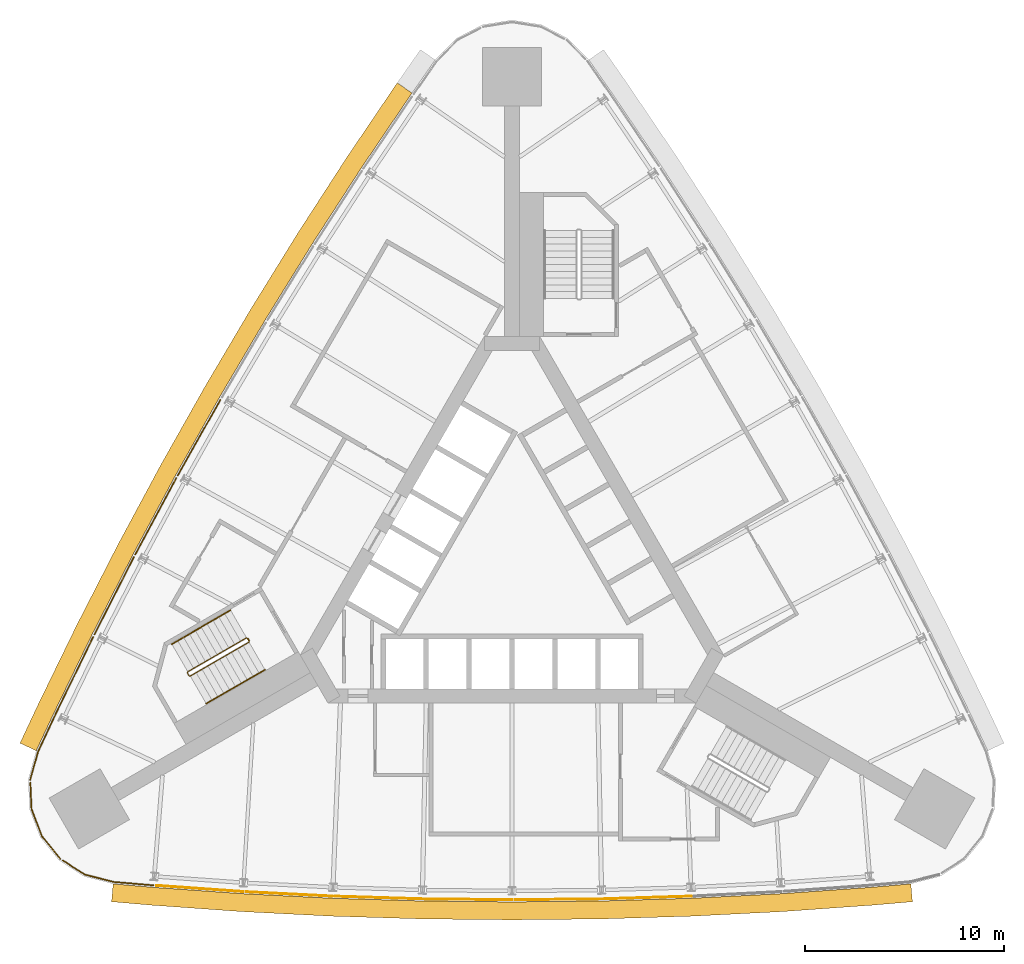
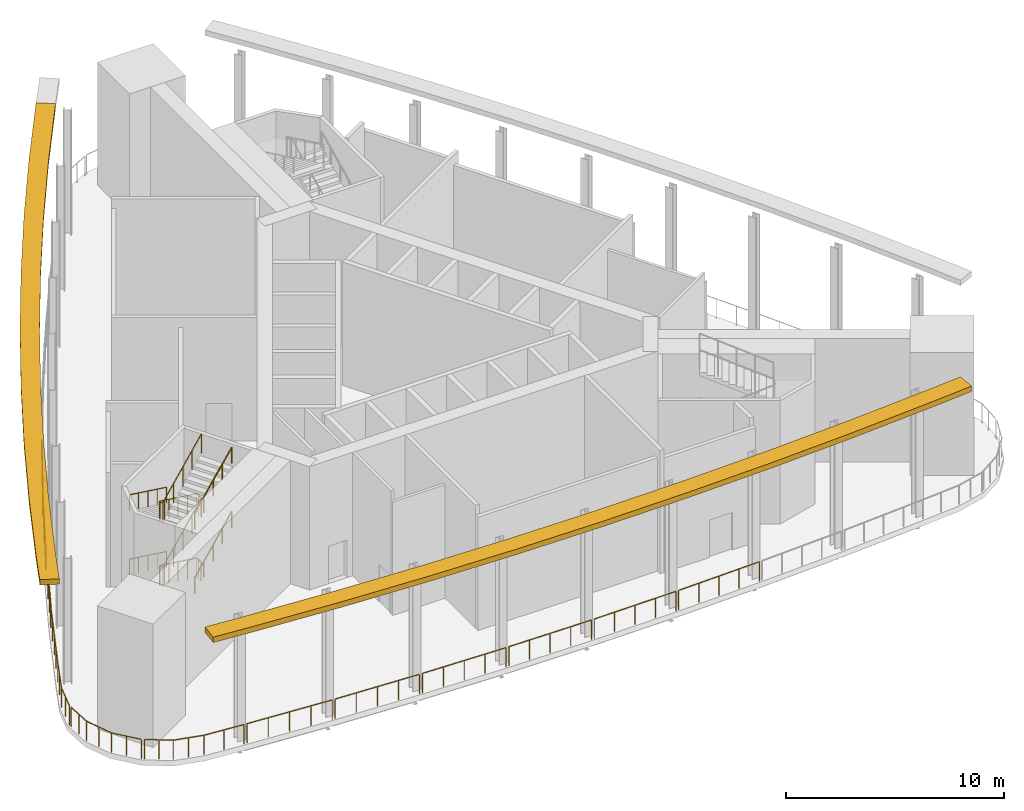
# One storey, part 5 of 7: 17 railings, 2 shading devices.
"""IFC4 building model written with IfcOpenShell, lengths in metres."""

from ifc_helpers import new_model, si_unit, direction, frame, origin, origin_2d, place, context, subcontext, project, spatial, polyline, circle, outline, extrude, material, type_object, element, save


model = new_model("IFC4")

# Units and contexts
model_context = context("Model", 3, precision=1e-05, world=origin(), true_north=direction((0.0, 1.0)))
body_context = subcontext(model_context, "Body", "Model", "MODEL_VIEW")
ifc_project = project(units=[si_unit("LENGTHUNIT", "METRE"), si_unit("AREAUNIT", "SQUARE_METRE"), si_unit("VOLUMEUNIT", "CUBIC_METRE"), si_unit("PLANEANGLEUNIT", "RADIAN"), si_unit("MASSUNIT", "GRAM", prefix="KILO")], contexts=[model_context])

# Site, building, storey
site_placement = place(None, origin())
site = spatial("IfcSite", under=ifc_project, at=site_placement, CompositionType="ELEMENT")
building_placement = place(site_placement, origin())
building = spatial("IfcBuilding", under=site, at=building_placement, Name="Noor Cloister Tower", CompositionType="ELEMENT")
storey_placement = place(building_placement, frame((0.0, 0.0, 127.5)))
storey = spatial("IfcBuildingStorey", under=building, at=storey_placement, Name="L33", CompositionType="ELEMENT", Elevation=127.5)

# Shading devices
ifc_material_1 = material(Name="Limestone", Category="masonry")
shading_device_type = type_object("IfcShadingDeviceType", Name="SUNSHADE limestone band 900", PredefinedType="USERDEFINED", material=ifc_material_1)
shading_device_1_placement = place(storey_placement, frame((0.0, 0.0, 6.89990234375)))
element("IfcShadingDevice", 1, at=shading_device_1_placement, inside=storey, type_object=shading_device_type, Name="SUNSHADE L33 1", ObjectType="SUNSHADE", PredefinedType="USERDEFINED", context=body_context, shape_type="SweptSolid", body=[
    extrude(outline(polyline([(-5.758056640625, 24.159912109375), (-8.2841796875, 20.4248046875), (-10.73876953125, 16.631591796875), (-13.115966796875, 12.789306640625), (-15.41455078125, 8.899658203125), (-17.6337890625, 4.964111328125), (-19.772705078125, 0.984130859375), (-21.83056640625, -3.0380859375), (-23.80517578125, -7.099365234375), (-24.666748046875, -8.93994140625), (-23.851806640625, -9.321533203125), (-22.992919921875, -7.48681640625), (-21.025146484375, -3.43994140625), (-18.9755859375, 0.566162109375), (-16.845458984375, 4.52978515625), (-14.635009765625, 8.449462890625), (-12.345703125, 12.323486328125), (-9.978271484375, 16.150390625), (-7.533447265625, 19.92822265625), (-5.0126953125, 23.65576171875), (-5.758056640625, 24.159912109375)])), origin(), (0.0, 0.0, 1.0), 0.300048828125),
])
shading_device_2_placement = place(storey_placement, frame((0.0, 0.0, 6.89990234375)))
element("IfcShadingDevice", 2, at=shading_device_2_placement, inside=storey, type_object=shading_device_type, Name="SUNSHADE L33 2", ObjectType="SUNSHADE", PredefinedType="USERDEFINED", context=body_context, shape_type="SweptSolid", body=[
    extrude(outline(polyline([(-20.07568359375, -16.89208984375), (-18.05078125, -17.066162109375), (-13.54638671875, -17.38671875), (-9.033935546875, -17.61572265625), (-4.51806640625, -17.75341796875), (0.0, -17.79931640625), (4.51806640625, -17.75341796875), (9.033935546875, -17.61572265625), (13.54638671875, -17.38671875), (18.05078125, -17.066162109375), (20.07568359375, -16.89208984375), (19.99853515625, -15.995361328125), (17.980224609375, -16.1689453125), (13.49169921875, -16.48828125), (8.99755859375, -16.716552734375), (4.499755859375, -16.853515625), (0.0, -16.899169921875), (-4.499755859375, -16.853515625), (-8.99755859375, -16.716552734375), (-13.49169921875, -16.48828125), (-17.980224609375, -16.1689453125), (-19.99853515625, -15.995361328125), (-20.07568359375, -16.89208984375)])), origin(), (0.0, 0.0, 1.0), 0.300048828125),
])

# Railings
ifc_material_2 = material(Name="Stainless steel", Category="steel")
railing_type_1 = type_object("IfcRailingType", Name="Stair guard 1100", PredefinedType="GUARDRAIL", material=ifc_material_2)
railing_1_placement = place(storey_placement, frame((-13.241455078125, -3.677734375, 0.0)))
element("IfcRailing", 3, at=railing_1_placement, inside=storey, type_object=railing_type_1, Name="Stair guard ST2 L33", PredefinedType="GUARDRAIL", context=body_context, shape_type="SweptSolid", body=[
    extrude(circle(Radius=0.02392578125, at=origin_2d()), frame((0.0, 0.0, 1.076171875), z_axis=(0.499112439033, -0.866537231285, 0.0), x_axis=(0.866537231285, 0.499112439033, 0.0)), (0.0, 0.0, 1.0), 0.150146484375),
    extrude(circle(Radius=0.02392578125, at=origin_2d()), frame((0.074951171875, -0.130126953125, 1.076171875), z_axis=(-0.544565797804, 0.563119998752, 0.621565731736), x_axis=(-0.718850276695, -0.695164929852, 0.0)), (0.0, 0.0, 1.0), 0.26318359375),
    extrude(circle(Radius=0.02392578125, at=origin_2d()), frame((-0.068359375, 0.01806640625, 1.23974609375), z_axis=(-0.780355043238, -0.450510916679, 0.433688736823), x_axis=(0.499977295307, -0.866038511948, 0.0)), (0.0, 0.0, 1.0), 3.7734375),
    extrude(circle(Radius=0.02392578125, at=origin_2d()), frame((-3.012939453125, -1.681884765625, 2.8759765625), z_axis=(-0.259601060869, -0.965715946433, 0.0), x_axis=(0.965715946433, -0.259601060869, 0.0)), (0.0, 0.0, 1.0), 0.070556640625),
    extrude(circle(Radius=0.02392578125, at=origin_2d()), frame((-3.03125, -1.75, 2.8759765625), z_axis=(0.500331725305, -0.865833797362, 0.0), x_axis=(0.865833797362, 0.500331725305, 0.0)), (0.0, 0.0, 1.0), 0.150390625),
    extrude(circle(Radius=0.02392578125, at=origin_2d()), frame((-2.9560546875, -1.880126953125, 2.8759765625), z_axis=(0.382383415203, -0.102791240646, 0.918268416436), x_axis=(0.259601060869, 0.965715946433, 0.0)), (0.0, 0.0, 1.0), 0.17822265625),
    extrude(circle(Radius=0.02392578125, at=origin_2d()), frame((-2.887939453125, -1.8984375, 3.03955078125), z_axis=(0.780332296523, 0.450562483458, 0.433676095149), x_axis=(-0.500031147688, 0.866007419912, 0.0)), (0.0, 0.0, 1.0), 3.7734375),
    extrude(circle(Radius=0.02392578125, at=origin_2d()), frame((0.056640625, -0.1982421875, 4.67626953125), z_axis=(-0.274721127897, 0.961523947641, 0.0), x_axis=(-0.961523947641, -0.274721127897, 0.0)), (0.0, 0.0, 1.0), 0.2060546875),
    extrude(circle(Radius=0.02392578125, at=origin_2d()), frame((0.0, 0.0, 4.67626953125), z_axis=(0.499112439033, -0.866537231285, 0.0), x_axis=(0.866537231285, 0.499112439033, 0.0)), (0.0, 0.0, 1.0), 0.150146484375),
    extrude(circle(Radius=0.02392578125, at=origin_2d()), frame((0.074951171875, -0.130126953125, 4.67626953125), z_axis=(-0.544565797804, 0.563119998752, 0.621565731736), x_axis=(-0.718850276695, -0.695164929852, 0.0)), (0.0, 0.0, 1.0), 0.26318359375),
    extrude(circle(Radius=0.02392578125, at=origin_2d()), frame((-0.068359375, 0.01806640625, 4.83984375), z_axis=(-0.780376939258, -0.450523557587, 0.433636203209), x_axis=(0.499977295307, -0.866038511948, 0.0)), (0.0, 0.0, 1.0), 3.773193359375),
    extrude(circle(Radius=0.02392578125, at=origin_2d()), frame((-3.012939453125, -1.681884765625, 6.47607421875), z_axis=(-0.259601060869, -0.965715946433, 0.0), x_axis=(0.965715946433, -0.259601060869, 0.0)), (0.0, 0.0, 1.0), 0.070556640625),
    extrude(circle(Radius=0.02392578125, at=origin_2d()), frame((-3.03125, -1.75, 6.47607421875), z_axis=(0.500331725305, -0.865833797362, 0.0), x_axis=(0.865833797362, 0.500331725305, 0.0)), (0.0, 0.0, 1.0), 0.150390625),
    extrude(circle(Radius=0.02392578125, at=origin_2d()), frame((-2.9560546875, -1.880126953125, 6.47607421875), z_axis=(0.381902721988, -0.10266202204, 0.918482890515), x_axis=(0.259601060869, 0.965715946433, 0.0)), (0.0, 0.0, 1.0), 0.178466796875),
    extrude(circle(Radius=0.02392578125, at=origin_2d()), frame((-2.887939453125, -1.8984375, 6.6396484375), z_axis=(0.780354190629, 0.450575125076, 0.433623562357), x_axis=(-0.500031147688, 0.866007419912, 0.0)), (0.0, 0.0, 1.0), 3.7734375),
    extrude(circle(Radius=0.02099609375, at=origin_2d()), origin(), (0.0, 0.0, 1.0), 1.052001953125),
    extrude(circle(Radius=0.02099609375, at=origin_2d()), frame((0.074951171875, -0.130126953125, 0.0)), (0.0, 0.0, 1.0), 1.052001953125),
    extrude(circle(Radius=0.02099609375, at=origin_2d()), frame((-0.068359375, 0.01806640625, 0.16357421875)), (0.0, 0.0, 1.0), 1.052001953125),
    extrude(circle(Radius=0.02099609375, at=origin_2d()), frame((-0.804443359375, -0.406982421875, 0.57275390625)), (0.0, 0.0, 1.0), 1.052001953125),
    extrude(circle(Radius=0.02099609375, at=origin_2d()), frame((-1.54052734375, -0.83203125, 0.98193359375)), (0.0, 0.0, 1.0), 1.052001953125),
    extrude(circle(Radius=0.02099609375, at=origin_2d()), frame((-2.27685546875, -1.2568359375, 1.390869140625)), (0.0, 0.0, 1.0), 1.052001953125),
    extrude(circle(Radius=0.02099609375, at=origin_2d()), frame((-3.012939453125, -1.681884765625, 1.800048828125)), (0.0, 0.0, 1.0), 1.052001953125),
    extrude(circle(Radius=0.02099609375, at=origin_2d()), frame((-3.03125, -1.75, 1.800048828125)), (0.0, 0.0, 1.0), 1.052001953125),
    extrude(circle(Radius=0.02099609375, at=origin_2d()), frame((-2.9560546875, -1.880126953125, 1.800048828125)), (0.0, 0.0, 1.0), 1.052001953125),
    extrude(circle(Radius=0.02099609375, at=origin_2d()), frame((-2.887939453125, -1.8984375, 1.963623046875)), (0.0, 0.0, 1.0), 1.052001953125),
    extrude(circle(Radius=0.02099609375, at=origin_2d()), frame((-2.15185546875, -1.473388671875, 2.372802734375)), (0.0, 0.0, 1.0), 1.052001953125),
    extrude(circle(Radius=0.02099609375, at=origin_2d()), frame((-1.41552734375, -1.04833984375, 2.78173828125)), (0.0, 0.0, 1.0), 1.052001953125),
    extrude(circle(Radius=0.02099609375, at=origin_2d()), frame((-0.679443359375, -0.623291015625, 3.19091796875)), (0.0, 0.0, 1.0), 1.052001953125),
    extrude(circle(Radius=0.02099609375, at=origin_2d()), frame((0.056640625, -0.1982421875, 3.60009765625)), (0.0, 0.0, 1.0), 1.052001953125),
    extrude(circle(Radius=0.02099609375, at=origin_2d()), frame((0.0, 0.0, 3.60009765625)), (0.0, 0.0, 1.0), 1.052001953125),
    extrude(circle(Radius=0.02099609375, at=origin_2d()), frame((0.074951171875, -0.130126953125, 3.60009765625)), (0.0, 0.0, 1.0), 1.052001953125),
    extrude(circle(Radius=0.02099609375, at=origin_2d()), frame((-0.068359375, 0.01806640625, 3.763671875)), (0.0, 0.0, 1.0), 1.052001953125),
    extrude(circle(Radius=0.02099609375, at=origin_2d()), frame((-0.804443359375, -0.406982421875, 4.1728515625)), (0.0, 0.0, 1.0), 1.052001953125),
    extrude(circle(Radius=0.02099609375, at=origin_2d()), frame((-1.54052734375, -0.83203125, 4.581787109375)), (0.0, 0.0, 1.0), 1.052001953125),
    extrude(circle(Radius=0.02099609375, at=origin_2d()), frame((-2.27685546875, -1.2568359375, 4.99072265625)), (0.0, 0.0, 1.0), 1.052001953125),
    extrude(circle(Radius=0.02099609375, at=origin_2d()), frame((-3.012939453125, -1.681884765625, 5.39990234375)), (0.0, 0.0, 1.0), 1.052001953125),
    extrude(circle(Radius=0.02099609375, at=origin_2d()), frame((-3.03125, -1.75, 5.39990234375)), (0.0, 0.0, 1.0), 1.052001953125),
    extrude(circle(Radius=0.02099609375, at=origin_2d()), frame((-2.9560546875, -1.880126953125, 5.39990234375)), (0.0, 0.0, 1.0), 1.052001953125),
    extrude(circle(Radius=0.02099609375, at=origin_2d()), frame((-2.887939453125, -1.8984375, 5.563720703125)), (0.0, 0.0, 1.0), 1.052001953125),
    extrude(circle(Radius=0.02099609375, at=origin_2d()), frame((-2.15185546875, -1.473388671875, 5.97265625)), (0.0, 0.0, 1.0), 1.052001953125),
    extrude(circle(Radius=0.02099609375, at=origin_2d()), frame((-1.41552734375, -1.04833984375, 6.3818359375)), (0.0, 0.0, 1.0), 1.052001953125),
    extrude(circle(Radius=0.02099609375, at=origin_2d()), frame((-0.679443359375, -0.623291015625, 6.791015625)), (0.0, 0.0, 1.0), 1.052001953125),
    extrude(circle(Radius=0.02099609375, at=origin_2d()), frame((0.056640625, -0.1982421875, 7.199951171875)), (0.0, 0.0, 1.0), 1.052001953125),
])
ifc_material_3 = material(Name="Stainless steel", Category="steel")
railing_type_2 = type_object("IfcRailingType", Name="Stair handrail 900", PredefinedType="HANDRAIL", material=ifc_material_3)
railing_2_placement = place(storey_placement, frame((-14.10986328125, -2.27392578125, 0.16357421875)))
element("IfcRailing", 4, at=railing_2_placement, inside=storey, type_object=railing_type_2, Name="Stair handrail ST2 L33 1", PredefinedType="HANDRAIL", context=body_context, shape_type="SweptSolid", body=[
    extrude(circle(Radius=0.02392578125, at=origin_2d()), frame((0.0, 0.0, 0.8759765625), z_axis=(-0.780329740374, -0.450533663534, 0.433710634306), x_axis=(0.500008388397, -0.866020560687, 0.0)), (0.0, 0.0, 1.0), 3.773193359375),
    extrude(circle(Radius=0.02099609375, at=origin_2d()), origin(), (0.0, 0.0, 1.0), 0.851806640625),
    extrude(circle(Radius=0.02099609375, at=origin_2d()), frame((-0.736083984375, -0.425048828125, 0.4091796875)), (0.0, 0.0, 1.0), 0.851806640625),
    extrude(circle(Radius=0.02099609375, at=origin_2d()), frame((-1.47216796875, -0.85009765625, 0.818359375)), (0.0, 0.0, 1.0), 0.851806640625),
    extrude(circle(Radius=0.02099609375, at=origin_2d()), frame((-2.208251953125, -1.27490234375, 1.227294921875)), (0.0, 0.0, 1.0), 0.851806640625),
    extrude(circle(Radius=0.02099609375, at=origin_2d()), frame((-2.9443359375, -1.699951171875, 1.636474609375)), (0.0, 0.0, 1.0), 0.851806640625),
])
railing_3_placement = place(storey_placement, frame((-15.329345703125, -6.961669921875, 1.963623046875)))
element("IfcRailing", 5, at=railing_3_placement, inside=storey, type_object=railing_type_2, Name="Stair handrail ST2 L33 2", PredefinedType="HANDRAIL", context=body_context, shape_type="SweptSolid", body=[
    extrude(circle(Radius=0.02392578125, at=origin_2d()), frame((0.0, 0.0, 0.8759765625), z_axis=(0.780355043238, 0.450510916679, 0.433688736823), x_axis=(-0.499977295307, 0.866038511948, 0.0)), (0.0, 0.0, 1.0), 3.7734375),
    extrude(circle(Radius=0.02099609375, at=origin_2d()), origin(), (0.0, 0.0, 1.0), 0.851806640625),
    extrude(circle(Radius=0.02099609375, at=origin_2d()), frame((0.736083984375, 0.425048828125, 0.4091796875)), (0.0, 0.0, 1.0), 0.851806640625),
    extrude(circle(Radius=0.02099609375, at=origin_2d()), frame((1.47216796875, 0.85009765625, 0.818359375)), (0.0, 0.0, 1.0), 0.851806640625),
    extrude(circle(Radius=0.02099609375, at=origin_2d()), frame((2.20849609375, 1.27490234375, 1.227294921875)), (0.0, 0.0, 1.0), 0.851806640625),
    extrude(circle(Radius=0.02099609375, at=origin_2d()), frame((2.944580078125, 1.699951171875, 1.636474609375)), (0.0, 0.0, 1.0), 0.851806640625),
])
railing_4_placement = place(storey_placement, frame((-14.10986328125, -2.27392578125, 3.763671875)))
element("IfcRailing", 6, at=railing_4_placement, inside=storey, type_object=railing_type_2, Name="Stair handrail ST2 L33 3", PredefinedType="HANDRAIL", context=body_context, shape_type="SweptSolid", body=[
    extrude(circle(Radius=0.02392578125, at=origin_2d()), frame((0.0, 0.0, 0.8759765625), z_axis=(-0.780351637896, -0.450546306357, 0.433658099268), x_axis=(0.500008388397, -0.866020560687, 0.0)), (0.0, 0.0, 1.0), 3.773193359375),
    extrude(circle(Radius=0.02099609375, at=origin_2d()), origin(), (0.0, 0.0, 1.0), 0.851806640625),
    extrude(circle(Radius=0.02099609375, at=origin_2d()), frame((-0.736083984375, -0.425048828125, 0.4091796875)), (0.0, 0.0, 1.0), 0.851806640625),
    extrude(circle(Radius=0.02099609375, at=origin_2d()), frame((-1.47216796875, -0.85009765625, 0.818115234375)), (0.0, 0.0, 1.0), 0.851806640625),
    extrude(circle(Radius=0.02099609375, at=origin_2d()), frame((-2.208251953125, -1.27490234375, 1.22705078125)), (0.0, 0.0, 1.0), 0.851806640625),
    extrude(circle(Radius=0.02099609375, at=origin_2d()), frame((-2.9443359375, -1.699951171875, 1.63623046875)), (0.0, 0.0, 1.0), 0.851806640625),
])
railing_5_placement = place(storey_placement, frame((-15.329345703125, -6.961669921875, 5.563720703125)))
element("IfcRailing", 7, at=railing_5_placement, inside=storey, type_object=railing_type_2, Name="Stair handrail ST2 L33 4", PredefinedType="HANDRAIL", context=body_context, shape_type="SweptSolid", body=[
    extrude(circle(Radius=0.02392578125, at=origin_2d()), frame((0.0, 0.0, 0.8759765625), z_axis=(0.780376939258, 0.450523557587, 0.433636203209), x_axis=(-0.499977295307, 0.866038511948, 0.0)), (0.0, 0.0, 1.0), 3.773193359375),
    extrude(circle(Radius=0.02099609375, at=origin_2d()), origin(), (0.0, 0.0, 1.0), 0.851806640625),
    extrude(circle(Radius=0.02099609375, at=origin_2d()), frame((0.736083984375, 0.425048828125, 0.4091796875)), (0.0, 0.0, 1.0), 0.851806640625),
    extrude(circle(Radius=0.02099609375, at=origin_2d()), frame((1.47216796875, 0.85009765625, 0.818115234375)), (0.0, 0.0, 1.0), 0.851806640625),
    extrude(circle(Radius=0.02099609375, at=origin_2d()), frame((2.20849609375, 1.27490234375, 1.22705078125)), (0.0, 0.0, 1.0), 0.851806640625),
    extrude(circle(Radius=0.02099609375, at=origin_2d()), frame((2.944580078125, 1.699951171875, 1.63623046875)), (0.0, 0.0, 1.0), 0.851806640625),
])
ifc_material_4 = material(Name="Stainless steel grade 316", Category="steel")
railing_type_3 = type_object("IfcRailingType", Name="Wind floor guard 1100", PredefinedType="GUARDRAIL", material=ifc_material_4)
railing_6_placement = place(storey_placement, frame((8.993408203125, -16.61669921875, 0.0)))
element("IfcRailing", 8, at=railing_6_placement, inside=storey, type_object=railing_type_3, Name="Wind floor guard L33 13", PredefinedType="GUARDRAIL", context=body_context, shape_type="SweptSolid", body=[
    extrude(circle(Radius=0.02392578125, at=origin_2d()), frame((0.0, 0.0, 1.076171875), z_axis=(-0.999536737973, -0.030435332134, 0.0), x_axis=(0.030435332134, -0.999536737973, 0.0)), (0.0, 0.0, 1.0), 4.34765625),
    extrude(circle(Radius=0.02099609375, at=origin_2d()), origin(), (0.0, 0.0, 1.0), 1.052001953125),
    extrude(circle(Radius=0.02099609375, at=origin_2d()), frame((-1.08642578125, -0.033203125, 0.0)), (0.0, 0.0, 1.0), 1.052001953125),
    extrude(circle(Radius=0.02099609375, at=origin_2d()), frame((-2.1728515625, -0.066162109375, 0.0)), (0.0, 0.0, 1.0), 1.052001953125),
    extrude(circle(Radius=0.02099609375, at=origin_2d()), frame((-3.25927734375, -0.09912109375, 0.0)), (0.0, 0.0, 1.0), 1.052001953125),
    extrude(circle(Radius=0.02099609375, at=origin_2d()), frame((-4.345703125, -0.13232421875, 0.0)), (0.0, 0.0, 1.0), 1.052001953125),
])
railing_7_placement = place(storey_placement, frame((4.49755859375, -16.75341796875, 0.0)))
element("IfcRailing", 9, at=railing_7_placement, inside=storey, type_object=railing_type_3, Name="Wind floor guard L33 14", PredefinedType="GUARDRAIL", context=body_context, shape_type="SweptSolid", body=[
    extrude(circle(Radius=0.02392578125, at=origin_2d()), frame((0.0, 0.0, 1.076171875), z_axis=(-0.999948350846, -0.010163446288, 0.0), x_axis=(0.010163446288, -0.999948350846, 0.0)), (0.0, 0.0, 1.0), 4.347900390625),
    extrude(circle(Radius=0.02099609375, at=origin_2d()), origin(), (0.0, 0.0, 1.0), 1.052001953125),
    extrude(circle(Radius=0.02099609375, at=origin_2d()), frame((-1.0869140625, -0.010986328125, 0.0)), (0.0, 0.0, 1.0), 1.052001953125),
    extrude(circle(Radius=0.02099609375, at=origin_2d()), frame((-2.173828125, -0.02197265625, 0.0)), (0.0, 0.0, 1.0), 1.052001953125),
    extrude(circle(Radius=0.02099609375, at=origin_2d()), frame((-3.2607421875, -0.033203125, 0.0)), (0.0, 0.0, 1.0), 1.052001953125),
    extrude(circle(Radius=0.02099609375, at=origin_2d()), frame((-4.34765625, -0.044189453125, 0.0)), (0.0, 0.0, 1.0), 1.052001953125),
])
railing_8_placement = place(storey_placement, frame((0.0, -16.799072265625, 0.0)))
element("IfcRailing", 10, at=railing_8_placement, inside=storey, type_object=railing_type_3, Name="Wind floor guard L33 15", PredefinedType="GUARDRAIL", context=body_context, shape_type="SweptSolid", body=[
    extrude(circle(Radius=0.02392578125, at=origin_2d()), frame((0.0, 0.0, 1.076171875), z_axis=(-0.999948919935, 0.010107300404, 0.0), x_axis=(-0.010107300404, -0.999948919935, 0.0)), (0.0, 0.0, 1.0), 4.347900390625),
    extrude(circle(Radius=0.02099609375, at=origin_2d()), origin(), (0.0, 0.0, 1.0), 1.052001953125),
    extrude(circle(Radius=0.02099609375, at=origin_2d()), frame((-1.0869140625, 0.010986328125, 0.0)), (0.0, 0.0, 1.0), 1.052001953125),
    extrude(circle(Radius=0.02099609375, at=origin_2d()), frame((-2.173828125, 0.02197265625, 0.0)), (0.0, 0.0, 1.0), 1.052001953125),
    extrude(circle(Radius=0.02099609375, at=origin_2d()), frame((-3.2607421875, 0.032958984375, 0.0)), (0.0, 0.0, 1.0), 1.052001953125),
    extrude(circle(Radius=0.02099609375, at=origin_2d()), frame((-4.34765625, 0.0439453125, 0.0)), (0.0, 0.0, 1.0), 1.052001953125),
])
railing_9_placement = place(storey_placement, frame((-4.49755859375, -16.75341796875, 0.0)))
element("IfcRailing", 11, at=railing_9_placement, inside=storey, type_object=railing_type_3, Name="Wind floor guard L33 16", PredefinedType="GUARDRAIL", context=body_context, shape_type="SweptSolid", body=[
    extrude(circle(Radius=0.02392578125, at=origin_2d()), frame((0.0, 0.0, 1.076171875), z_axis=(-0.999536789984, 0.030433623963, 0.0), x_axis=(-0.030433623963, -0.999536789984, 0.0)), (0.0, 0.0, 1.0), 4.347900390625),
    extrude(circle(Radius=0.02099609375, at=origin_2d()), origin(), (0.0, 0.0, 1.0), 1.052001953125),
    extrude(circle(Radius=0.02099609375, at=origin_2d()), frame((-1.08642578125, 0.033203125, 0.0)), (0.0, 0.0, 1.0), 1.052001953125),
    extrude(circle(Radius=0.02099609375, at=origin_2d()), frame((-2.1728515625, 0.066162109375, 0.0)), (0.0, 0.0, 1.0), 1.052001953125),
    extrude(circle(Radius=0.02099609375, at=origin_2d()), frame((-3.259521484375, 0.09912109375, 0.0)), (0.0, 0.0, 1.0), 1.052001953125),
    extrude(circle(Radius=0.02099609375, at=origin_2d()), frame((-4.345947265625, 0.13232421875, 0.0)), (0.0, 0.0, 1.0), 1.052001953125),
])
railing_10_placement = place(storey_placement, frame((-8.993408203125, -16.61669921875, 0.0)))
element("IfcRailing", 12, at=railing_10_placement, inside=storey, type_object=railing_type_3, Name="Wind floor guard L33 17", PredefinedType="GUARDRAIL", context=body_context, shape_type="SweptSolid", body=[
    extrude(circle(Radius=0.02392578125, at=origin_2d()), frame((0.0, 0.0, 1.076171875), z_axis=(-0.998710831044, 0.050760968811, 0.0), x_axis=(-0.050760968811, -0.998710831044, 0.0)), (0.0, 0.0, 1.0), 4.347900390625),
    extrude(circle(Radius=0.02099609375, at=origin_2d()), origin(), (0.0, 0.0, 1.0), 1.052001953125),
    extrude(circle(Radius=0.02099609375, at=origin_2d()), frame((-1.08544921875, 0.05517578125, 0.0)), (0.0, 0.0, 1.0), 1.052001953125),
    extrude(circle(Radius=0.02099609375, at=origin_2d()), frame((-2.171142578125, 0.1103515625, 0.0)), (0.0, 0.0, 1.0), 1.052001953125),
    extrude(circle(Radius=0.02099609375, at=origin_2d()), frame((-3.2568359375, 0.16552734375, 0.0)), (0.0, 0.0, 1.0), 1.052001953125),
    extrude(circle(Radius=0.02099609375, at=origin_2d()), frame((-4.34228515625, 0.220703125, 0.0)), (0.0, 0.0, 1.0), 1.052001953125),
])
railing_11_placement = place(storey_placement, frame((-13.485595703125, -16.388427734375, 0.0)))
element("IfcRailing", 13, at=railing_11_placement, inside=storey, type_object=railing_type_3, Name="Wind floor guard L33 18", PredefinedType="GUARDRAIL", context=body_context, shape_type="SweptSolid", body=[
    extrude(circle(Radius=0.02392578125, at=origin_2d()), frame((0.0, 0.0, 1.076171875), z_axis=(-0.997478328062, 0.070971720049, 0.0), x_axis=(-0.070971720049, -0.997478328062, 0.0)), (0.0, 0.0, 1.0), 4.34814453125),
    extrude(circle(Radius=0.02099609375, at=origin_2d()), origin(), (0.0, 0.0, 1.0), 1.052001953125),
    extrude(circle(Radius=0.02099609375, at=origin_2d()), frame((-1.084228515625, 0.0771484375, 0.0)), (0.0, 0.0, 1.0), 1.052001953125),
    extrude(circle(Radius=0.02099609375, at=origin_2d()), frame((-2.16845703125, 0.154296875, 0.0)), (0.0, 0.0, 1.0), 1.052001953125),
    extrude(circle(Radius=0.02099609375, at=origin_2d()), frame((-3.2529296875, 0.2314453125, 0.0)), (0.0, 0.0, 1.0), 1.052001953125),
    extrude(circle(Radius=0.02099609375, at=origin_2d()), frame((-4.337158203125, 0.30859375, 0.0)), (0.0, 0.0, 1.0), 1.052001953125),
])
railing_12_placement = place(storey_placement, frame((-17.972412109375, -16.0693359375, 0.0)))
element("IfcRailing", 14, at=railing_12_placement, inside=storey, type_object=railing_type_3, Name="Wind floor guard L33 19", PredefinedType="GUARDRAIL", context=body_context, shape_type="SweptSolid", body=[
    extrude(circle(Radius=0.02392578125, at=origin_2d()), frame((0.0, 0.0, 1.076171875), z_axis=(-0.99632011321, 0.085710162837, 0.0), x_axis=(-0.085710162837, -0.99632011321, 0.0)), (0.0, 0.0, 1.0), 2.0166015625),
    extrude(circle(Radius=0.02392578125, at=origin_2d()), frame((-2.00927734375, 0.1728515625, 1.076171875), z_axis=(-0.968981077027, 0.247134927446, 0.0), x_axis=(-0.247134927446, -0.968981077027, 0.0)), (0.0, 0.0, 1.0), 1.472900390625),
    extrude(circle(Radius=0.02392578125, at=origin_2d()), frame((-3.4365234375, 0.536865234375, 1.076171875), z_axis=(-0.8425511556, 0.538616329307, 0.0), x_axis=(-0.538616329307, -0.8425511556, 0.0)), (0.0, 0.0, 1.0), 1.31494140625),
    extrude(circle(Radius=0.02099609375, at=origin_2d()), origin(), (0.0, 0.0, 1.0), 1.052001953125),
    extrude(circle(Radius=0.02099609375, at=origin_2d()), frame((-1.004638671875, 0.08642578125, 0.0)), (0.0, 0.0, 1.0), 1.052001953125),
    extrude(circle(Radius=0.02099609375, at=origin_2d()), frame((-2.00927734375, 0.1728515625, 0.0)), (0.0, 0.0, 1.0), 1.052001953125),
    extrude(circle(Radius=0.02099609375, at=origin_2d()), frame((-2.722900390625, 0.35498046875, 0.0)), (0.0, 0.0, 1.0), 1.052001953125),
    extrude(circle(Radius=0.02099609375, at=origin_2d()), frame((-3.4365234375, 0.536865234375, 0.0)), (0.0, 0.0, 1.0), 1.052001953125),
    extrude(circle(Radius=0.02099609375, at=origin_2d()), frame((-3.990478515625, 0.89111328125, 0.0)), (0.0, 0.0, 1.0), 1.052001953125),
    extrude(circle(Radius=0.02099609375, at=origin_2d()), frame((-4.54443359375, 1.2451171875, 0.0)), (0.0, 0.0, 1.0), 1.052001953125),
])
railing_13_placement = place(storey_placement, frame((-22.643310546875, -14.743408203125, 0.0)))
element("IfcRailing", 15, at=railing_13_placement, inside=storey, type_object=railing_type_3, Name="Wind floor guard L33 20", PredefinedType="GUARDRAIL", context=body_context, shape_type="SweptSolid", body=[
    extrude(circle(Radius=0.02392578125, at=origin_2d()), frame((0.0, 0.0, 1.076171875), z_axis=(-0.631175830783, 0.775639781493, 0.0), x_axis=(-0.775639781493, -0.631175830783, 0.0)), (0.0, 0.0, 1.0), 1.465087890625),
    extrude(circle(Radius=0.02392578125, at=origin_2d()), frame((-0.9248046875, 1.136474609375, 1.076171875), z_axis=(-0.356140857283, 0.93443228207, 0.0), x_axis=(-0.93443228207, -0.356140857283, 0.0)), (0.0, 0.0, 1.0), 1.46484375),
    extrude(circle(Radius=0.02392578125, at=origin_2d()), frame((-1.446533203125, 2.50537109375, 1.076171875), z_axis=(-0.045112915866, 0.998981894141, 0.0), x_axis=(-0.998981894141, -0.045112915866, 0.0)), (0.0, 0.0, 1.0), 1.31494140625),
    extrude(circle(Radius=0.02099609375, at=origin_2d()), origin(), (0.0, 0.0, 1.0), 1.052001953125),
    extrude(circle(Radius=0.02099609375, at=origin_2d()), frame((-0.46240234375, 0.568359375, 0.0)), (0.0, 0.0, 1.0), 1.052001953125),
    extrude(circle(Radius=0.02099609375, at=origin_2d()), frame((-0.9248046875, 1.136474609375, 0.0)), (0.0, 0.0, 1.0), 1.052001953125),
    extrude(circle(Radius=0.02099609375, at=origin_2d()), frame((-1.185546875, 1.82080078125, 0.0)), (0.0, 0.0, 1.0), 1.052001953125),
    extrude(circle(Radius=0.02099609375, at=origin_2d()), frame((-1.446533203125, 2.50537109375, 0.0)), (0.0, 0.0, 1.0), 1.052001953125),
    extrude(circle(Radius=0.02099609375, at=origin_2d()), frame((-1.47607421875, 3.162109375, 0.0)), (0.0, 0.0, 1.0), 1.052001953125),
    extrude(circle(Radius=0.02099609375, at=origin_2d()), frame((-1.505859375, 3.819091796875, 0.0)), (0.0, 0.0, 1.0), 1.052001953125),
])
railing_14_placement = place(storey_placement, frame((-24.156005859375, -10.7744140625, 0.0)))
element("IfcRailing", 16, at=railing_14_placement, inside=storey, type_object=railing_type_3, Name="Wind floor guard L33 21", PredefinedType="GUARDRAIL", context=body_context, shape_type="SweptSolid", body=[
    extrude(circle(Radius=0.02392578125, at=origin_2d()), frame((0.0, 0.0, 1.076171875), z_axis=(0.270515159658, 0.962715715253, 0.0), x_axis=(-0.962715715253, 0.270515159658, 0.0)), (0.0, 0.0, 1.0), 1.472900390625),
    extrude(circle(Radius=0.02392578125, at=origin_2d()), frame((0.3984375, 1.41796875, 1.076171875), z_axis=(0.423965460501, 0.905678358084, 0.0), x_axis=(-0.905678358084, 0.423965460501, 0.0)), (0.0, 0.0, 1.0), 2.0166015625),
    extrude(circle(Radius=0.02392578125, at=origin_2d()), frame((1.25341796875, 3.244384765625, 1.076171875), z_axis=(0.437259564909, 0.899335350631, 0.0), x_axis=(-0.899335350631, 0.437259564909, 0.0)), (0.0, 0.0, 1.0), 4.348388671875),
    extrude(circle(Radius=0.02099609375, at=origin_2d()), origin(), (0.0, 0.0, 1.0), 1.052001953125),
    extrude(circle(Radius=0.02099609375, at=origin_2d()), frame((0.19921875, 0.708984375, 0.0)), (0.0, 0.0, 1.0), 1.052001953125),
    extrude(circle(Radius=0.02099609375, at=origin_2d()), frame((0.3984375, 1.41796875, 0.0)), (0.0, 0.0, 1.0), 1.052001953125),
    extrude(circle(Radius=0.02099609375, at=origin_2d()), frame((0.825927734375, 2.3310546875, 0.0)), (0.0, 0.0, 1.0), 1.052001953125),
    extrude(circle(Radius=0.02099609375, at=origin_2d()), frame((1.25341796875, 3.244384765625, 0.0)), (0.0, 0.0, 1.0), 1.052001953125),
    extrude(circle(Radius=0.02099609375, at=origin_2d()), frame((1.728759765625, 4.22216796875, 0.0)), (0.0, 0.0, 1.0), 1.052001953125),
    extrude(circle(Radius=0.02099609375, at=origin_2d()), frame((2.2041015625, 5.19970703125, 0.0)), (0.0, 0.0, 1.0), 1.052001953125),
    extrude(circle(Radius=0.02099609375, at=origin_2d()), frame((2.679443359375, 6.17724609375, 0.0)), (0.0, 0.0, 1.0), 1.052001953125),
    extrude(circle(Radius=0.02099609375, at=origin_2d()), frame((3.15478515625, 7.155029296875, 0.0)), (0.0, 0.0, 1.0), 1.052001953125),
])
railing_15_placement = place(storey_placement, frame((-20.935546875, -3.484619140625, 0.0)))
element("IfcRailing", 17, at=railing_15_placement, inside=storey, type_object=railing_type_3, Name="Wind floor guard L33 22", PredefinedType="GUARDRAIL", context=body_context, shape_type="SweptSolid", body=[
    extrude(circle(Radius=0.02392578125, at=origin_2d()), frame((0.0, 0.0, 1.076171875), z_axis=(0.455393006373, 0.890290519857, 0.0), x_axis=(-0.890290519857, 0.455393006373, 0.0)), (0.0, 0.0, 1.0), 4.347900390625),
    extrude(circle(Radius=0.02099609375, at=origin_2d()), origin(), (0.0, 0.0, 1.0), 1.052001953125),
    extrude(circle(Radius=0.02099609375, at=origin_2d()), frame((0.4951171875, 0.9677734375, 0.0)), (0.0, 0.0, 1.0), 1.052001953125),
    extrude(circle(Radius=0.02099609375, at=origin_2d()), frame((0.989990234375, 1.935546875, 0.0)), (0.0, 0.0, 1.0), 1.052001953125),
    extrude(circle(Radius=0.02099609375, at=origin_2d()), frame((1.48486328125, 2.903076171875, 0.0)), (0.0, 0.0, 1.0), 1.052001953125),
    extrude(circle(Radius=0.02099609375, at=origin_2d()), frame((1.97998046875, 3.870849609375, 0.0)), (0.0, 0.0, 1.0), 1.052001953125),
])
railing_16_placement = place(storey_placement, frame((-18.88720703125, 0.519775390625, 0.0)))
element("IfcRailing", 18, at=railing_16_placement, inside=storey, type_object=railing_type_3, Name="Wind floor guard L33 23", PredefinedType="GUARDRAIL", context=body_context, shape_type="SweptSolid", body=[
    extrude(circle(Radius=0.02392578125, at=origin_2d()), frame((0.0, 0.0, 1.076171875), z_axis=(0.473409894808, 0.880842251199, 0.0), x_axis=(-0.880842251199, 0.473409894808, 0.0)), (0.0, 0.0, 1.0), 4.347900390625),
    extrude(circle(Radius=0.02099609375, at=origin_2d()), origin(), (0.0, 0.0, 1.0), 1.052001953125),
    extrude(circle(Radius=0.02099609375, at=origin_2d()), frame((0.5146484375, 0.95751953125, 0.0)), (0.0, 0.0, 1.0), 1.052001953125),
    extrude(circle(Radius=0.02099609375, at=origin_2d()), frame((1.029296875, 1.9150390625, 0.0)), (0.0, 0.0, 1.0), 1.052001953125),
    extrude(circle(Radius=0.02099609375, at=origin_2d()), frame((1.543701171875, 2.872314453125, 0.0)), (0.0, 0.0, 1.0), 1.052001953125),
    extrude(circle(Radius=0.02099609375, at=origin_2d()), frame((2.058349609375, 3.829833984375, 0.0)), (0.0, 0.0, 1.0), 1.052001953125),
])
railing_17_placement = place(storey_placement, frame((-16.7578125, 4.481689453125, 0.0)))
element("IfcRailing", 19, at=railing_17_placement, inside=storey, type_object=railing_type_3, Name="Wind floor guard L33 24", PredefinedType="GUARDRAIL", context=body_context, shape_type="SweptSolid", body=[
    extrude(circle(Radius=0.02392578125, at=origin_2d()), frame((0.0, 0.0, 1.076171875), z_axis=(0.491220697574, 0.871035146406, 0.0), x_axis=(-0.871035146406, 0.491220697574, 0.0)), (0.0, 0.0, 1.0), 4.347900390625),
    extrude(circle(Radius=0.02099609375, at=origin_2d()), origin(), (0.0, 0.0, 1.0), 1.052001953125),
    extrude(circle(Radius=0.02099609375, at=origin_2d()), frame((0.533935546875, 0.94677734375, 0.0)), (0.0, 0.0, 1.0), 1.052001953125),
    extrude(circle(Radius=0.02099609375, at=origin_2d()), frame((1.06787109375, 1.8935546875, 0.0)), (0.0, 0.0, 1.0), 1.052001953125),
    extrude(circle(Radius=0.02099609375, at=origin_2d()), frame((1.601806640625, 2.84033203125, 0.0)), (0.0, 0.0, 1.0), 1.052001953125),
    extrude(circle(Radius=0.02099609375, at=origin_2d()), frame((2.1357421875, 3.787109375, 0.0)), (0.0, 0.0, 1.0), 1.052001953125),
])

save(model, "model.ifc")
